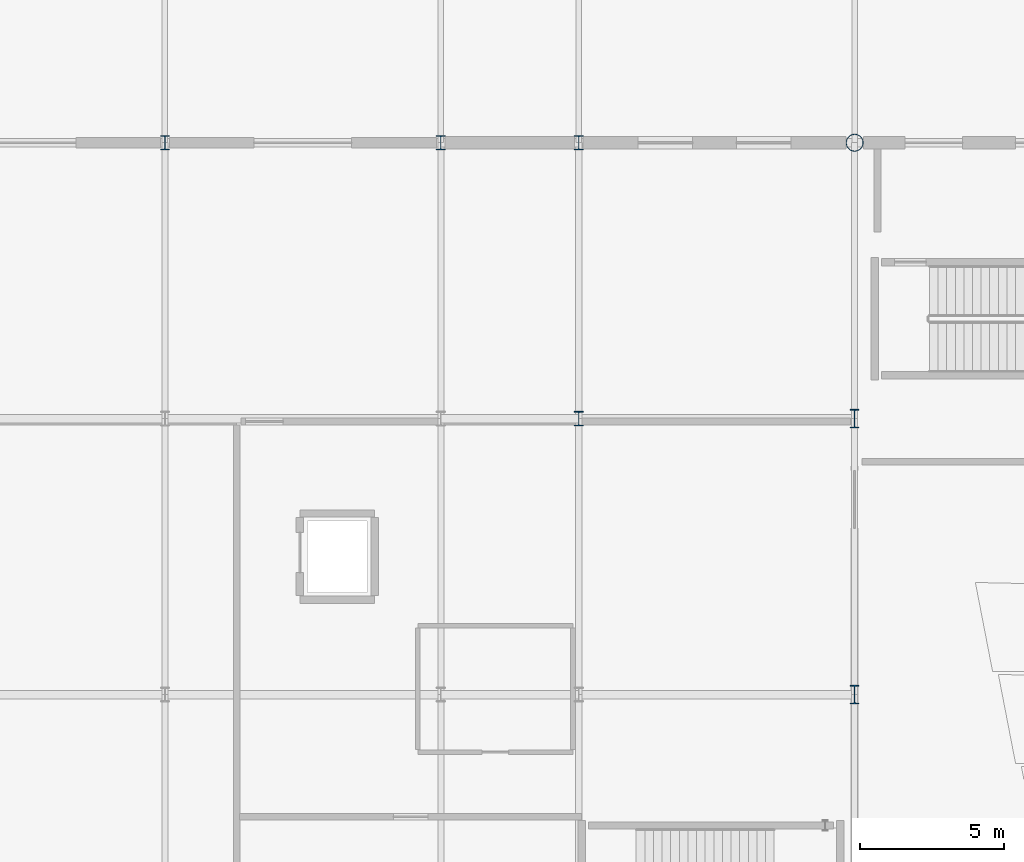
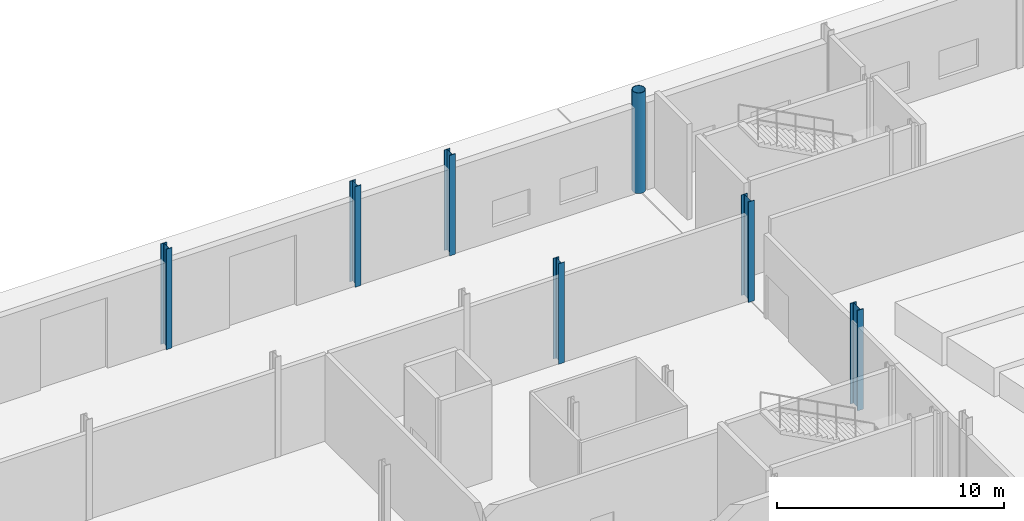
# One storey, part 19 of 84: 7 columns.
"""IFC4 building model written with IfcOpenShell, lengths in metres."""

from ifc_helpers import new_model, si_unit, direction, frame, origin, origin_2d, place, context, subcontext, project, spatial, hollow_circle, i_section, extrude, material, material_profile, profile_set, type_object, element, save


model = new_model("IFC4")

# Units and contexts
model_context = context("Model", 3, precision=1e-05, world=origin(), true_north=direction((0.0, 1.0)))
body_context = subcontext(model_context, "Body", "Model", "MODEL_VIEW")
ifc_project = project(units=[si_unit("LENGTHUNIT", "METRE"), si_unit("AREAUNIT", "SQUARE_METRE"), si_unit("VOLUMEUNIT", "CUBIC_METRE"), si_unit("PLANEANGLEUNIT", "RADIAN"), si_unit("MASSUNIT", "GRAM", prefix="KILO")], contexts=[model_context])

# Site, building, storey
site_placement = place(None, origin())
site = spatial("IfcSite", under=ifc_project, at=site_placement, CompositionType="ELEMENT")
building_placement = place(site_placement, origin())
building = spatial("IfcBuilding", under=site, at=building_placement, Name="Zevrakil Square Congress Hotel", CompositionType="ELEMENT")
storey_placement = place(building_placement, origin())
storey = spatial("IfcBuildingStorey", under=building, at=storey_placement, Name="L01", CompositionType="ELEMENT", Elevation=0.0)

# Columns
ifc_material_1 = material(Name="Steel S355", Category="steel")
ifc_material_profile_1 = material_profile(ifc_material_1, hollow_circle(Radius=0.304931640625, WallThickness=0.02490234375, at=origin_2d()), Name="CHS 610x25")
ifc_profile_set_1 = profile_set([ifc_material_profile_1], Name="Steel S355")
column_type_1 = type_object("IfcColumnType", Name="COL-CHS610", PredefinedType="COLUMN", material=ifc_profile_set_1)
column_placement = place(storey_placement, frame((117.60009765625, 112.800048828125, 0.0), z_axis=(0.0, 0.0, 1.0), x_axis=(1.0, 0.0, 0.0)))
element("IfcColumn", 1, at=column_placement, inside=storey, type_object=column_type_1, Name="L01 column C-193", PredefinedType="COLUMN", context=body_context, shape_type="SweptSolid", body=[
    extrude(hollow_circle(Radius=0.304931640625, WallThickness=0.02490234375, at=origin_2d()), origin(), (0.0, 0.0, 1.0), 5.39990234375),
])
ifc_material_2 = material(Name="Steel S355", Category="steel")
ifc_material_profile_2 = material_profile(ifc_material_2, i_section(OverallWidth=0.300048828125, OverallDepth=0.5, WebThickness=0.014404296875, FlangeThickness=0.028076171875, FilletRadius=0.027099609375, at=origin_2d()), Name="HEB 500")
ifc_profile_set_2 = profile_set([ifc_material_profile_2], Name="Steel S355")
column_type_2 = type_object("IfcColumnType", Name="COL-HEB500", PredefinedType="COLUMN", material=ifc_profile_set_2)
for number, where, z_axis, x_axis, name in (
    (2, (93.60009765625, 112.800048828125, 0.0), (0.0, 0.0, 1.0), (1.0, 0.0, 0.0), "L01 column C-147"),
    (3, (103.199951171875, 112.800048828125, 0.0), (0.0, 0.0, 1.0), (1.0, 0.0, 0.0), "L01 column C-161"),
    (4, (108.0, 103.199951171875, 0.0), (0.0, 0.0, 1.0), (1.0, 0.0, 0.0), "L01 column C-174"),
    (5, (108.0, 112.800048828125, 0.0), (0.0, 0.0, 1.0), (1.0, 0.0, 0.0), "L01 column C-175"),
):
    element("IfcColumn", number, at=place(storey_placement, frame(where, z_axis=z_axis, x_axis=x_axis)), inside=storey, type_object=column_type_2, Name=name, PredefinedType="COLUMN", context=body_context, shape_type="SweptSolid", body=[
        extrude(i_section(OverallWidth=0.300048828125, OverallDepth=0.5, WebThickness=0.014404296875, FlangeThickness=0.028076171875, FilletRadius=0.027099609375, at=origin_2d()), origin(), (0.0, 0.0, 1.0), 5.39990234375),
    ])
ifc_material_3 = material(Name="Steel S355", Category="steel")
ifc_material_profile_3 = material_profile(ifc_material_3, i_section(OverallWidth=0.300048828125, OverallDepth=0.64990234375, WebThickness=0.01611328125, FlangeThickness=0.031005859375, FilletRadius=0.027099609375, at=origin_2d()), Name="HEB 650")
ifc_profile_set_3 = profile_set([ifc_material_profile_3], Name="Steel S355")
column_type_3 = type_object("IfcColumnType", Name="COL-HEB650", PredefinedType="COLUMN", material=ifc_profile_set_3)
for number, where, z_axis, x_axis, name in (
    (6, (117.60009765625, 93.60009765625, 0.0), (0.0, 0.0, 1.0), (1.0, 0.0, 0.0), "L01 column C-191"),
    (7, (117.60009765625, 103.199951171875, 0.0), (0.0, 0.0, 1.0), (1.0, 0.0, 0.0), "L01 column C-192"),
):
    element("IfcColumn", number, at=place(storey_placement, frame(where, z_axis=z_axis, x_axis=x_axis)), inside=storey, type_object=column_type_3, Name=name, PredefinedType="COLUMN", context=body_context, shape_type="SweptSolid", body=[
        extrude(i_section(OverallWidth=0.300048828125, OverallDepth=0.64990234375, WebThickness=0.01611328125, FlangeThickness=0.031005859375, FilletRadius=0.027099609375, at=origin_2d()), origin(), (0.0, 0.0, 1.0), 5.39990234375),
    ])

save(model, "model.ifc")
